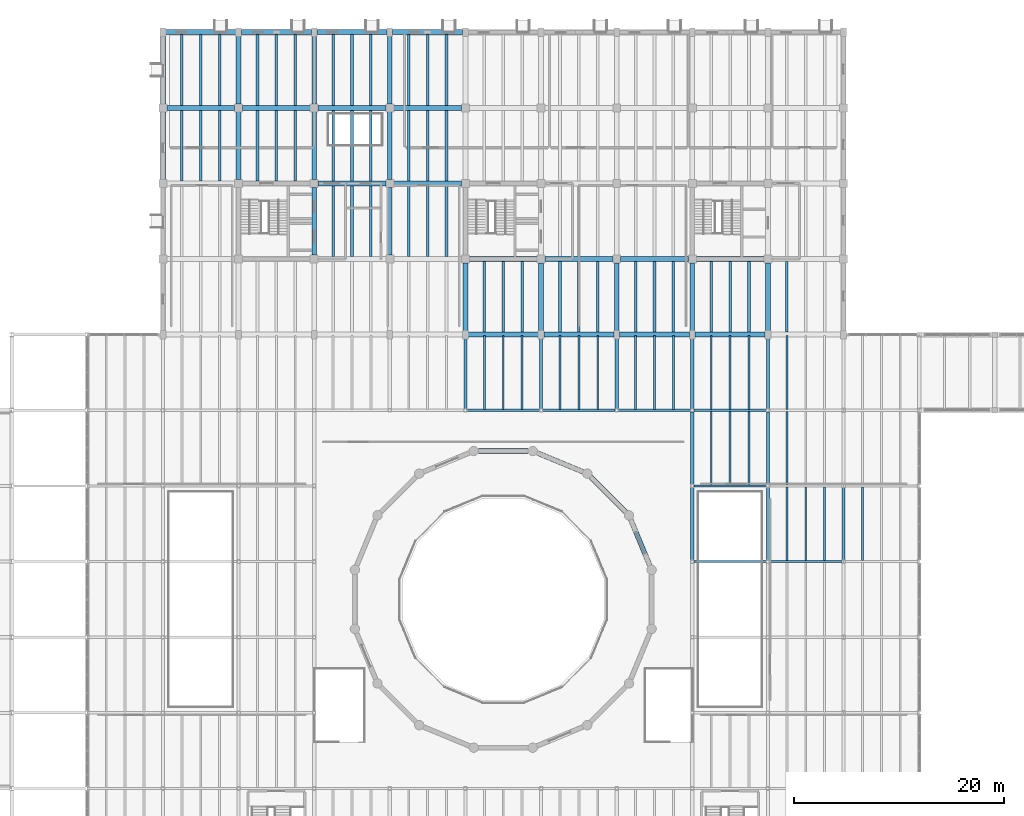
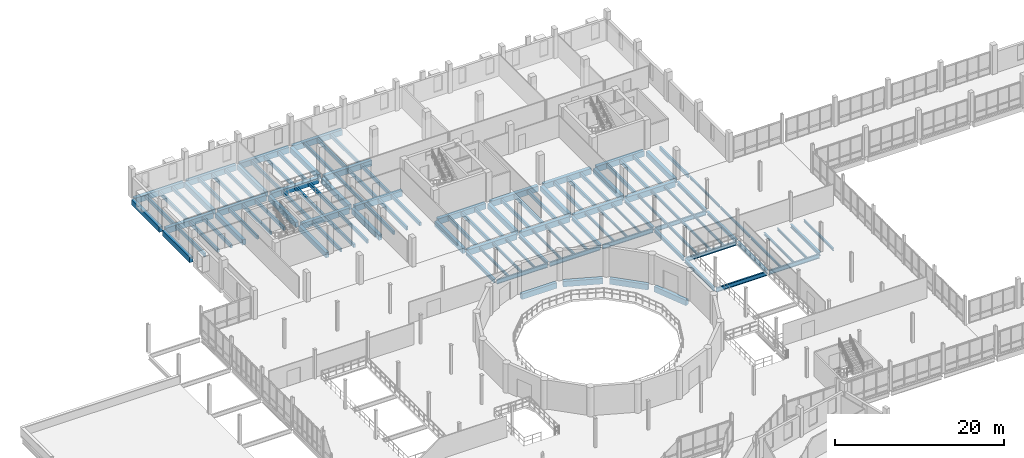
# One storey, part 32 of 72: 118 beams.
"""IFC4 building model written with IfcOpenShell, lengths in metres."""

from ifc_helpers import new_model, si_unit, direction, frame, origin, origin_2d, place, context, subcontext, project, spatial, rectangle, i_section, extrude, material, material_profile, profile_set, type_object, element, save


model = new_model("IFC4")

# Units and contexts
model_context = context("Model", 3, precision=1e-05, world=origin(), true_north=direction((0.0, 1.0)))
body_context = subcontext(model_context, "Body", "Model", "MODEL_VIEW")
ifc_project = project(units=[si_unit("LENGTHUNIT", "METRE"), si_unit("AREAUNIT", "SQUARE_METRE"), si_unit("VOLUMEUNIT", "CUBIC_METRE"), si_unit("PLANEANGLEUNIT", "RADIAN"), si_unit("MASSUNIT", "GRAM", prefix="KILO")], contexts=[model_context])

# Site, building, storey
site_placement = place(None, origin())
site = spatial("IfcSite", under=ifc_project, at=site_placement, CompositionType="ELEMENT")
building_placement = place(site_placement, origin())
building = spatial("IfcBuilding", under=site, at=building_placement, Name="Qiaolan Assembly House", CompositionType="ELEMENT")
storey_placement = place(building_placement, frame((0.0, 0.0, 10.199951171875)))
storey = spatial("IfcBuildingStorey", under=building, at=storey_placement, Name="L02", CompositionType="ELEMENT", Elevation=10.199951171875)

# Beams
ifc_material_1 = material(Name="Concrete C40/50", Category="concrete")
ifc_material_profile_1 = material_profile(ifc_material_1, rectangle(XDim=0.449951171875, YDim=0.75, at=origin_2d()), Name="RCB 450x750")
ifc_profile_set_1 = profile_set([ifc_material_profile_1], Name="Concrete C40/50")
beam_type_1 = type_object("IfcBeamType", Name="BM-RC-450x750", PredefinedType="BEAM", material=ifc_profile_set_1)
beam_1_placement = place(storey_placement, frame((36.0, 101.1650390625, -0.60498046875), z_axis=(0.0, 1.0, 0.0), x_axis=(-1.0, 0.0, 0.0)))
element("IfcBeam", 1, at=beam_1_placement, inside=storey, type_object=beam_type_1, Name="GB-04 beam BMY-NW-L02-00-02", PredefinedType="BEAM", context=body_context, shape_type="SweptSolid", body=[
    extrude(rectangle(XDim=0.449951171875, YDim=0.75, at=origin_2d()), origin(), (0.0, 0.0, 1.0), 6.469970703125),
])
beam_2_placement = place(storey_placement, frame((36.0, 108.364990234375, -0.60498046875), z_axis=(0.0, 1.0, 0.0), x_axis=(-1.0, 0.0, 0.0)))
element("IfcBeam", 2, at=beam_2_placement, inside=storey, type_object=beam_type_1, Name="GB-04 beam BMY-NW-L02-00-03", PredefinedType="BEAM", context=body_context, shape_type="SweptSolid", body=[
    extrude(rectangle(XDim=0.449951171875, YDim=0.75, at=origin_2d()), origin(), (0.0, 0.0, 1.0), 6.570068359375),
])
beam_3_placement = place(storey_placement, frame((43.199951171875, 101.1650390625, -0.60498046875), z_axis=(0.0, 1.0, 0.0), x_axis=(-1.0, 0.0, 0.0)))
element("IfcBeam", 3, at=beam_3_placement, inside=storey, type_object=beam_type_1, Name="GB-04 beam BMY-NW-L02-01-02", PredefinedType="BEAM", context=body_context, shape_type="SweptSolid", body=[
    extrude(rectangle(XDim=0.449951171875, YDim=0.75, at=origin_2d()), origin(), (0.0, 0.0, 1.0), 6.469970703125),
])
beam_4_placement = place(storey_placement, frame((43.199951171875, 108.364990234375, -0.60498046875), z_axis=(0.0, 1.0, 0.0), x_axis=(-1.0, 0.0, 0.0)))
element("IfcBeam", 4, at=beam_4_placement, inside=storey, type_object=beam_type_1, Name="GB-04 beam BMY-NW-L02-01-03", PredefinedType="BEAM", context=body_context, shape_type="SweptSolid", body=[
    extrude(rectangle(XDim=0.449951171875, YDim=0.75, at=origin_2d()), origin(), (0.0, 0.0, 1.0), 6.570068359375),
])
for number, where, z_axis, x_axis, name in (
    (5, (50.39990234375, 93.965087890625, -0.60498046875), (0.0, 1.0, 0.0), (-1.0, 0.0, 0.0), "GB-04 beam BMY-NW-L02-02-01"),
    (6, (50.39990234375, 101.1650390625, -0.60498046875), (0.0, 1.0, 0.0), (-1.0, 0.0, 0.0), "GB-04 beam BMY-NW-L02-02-02"),
):
    element("IfcBeam", number, at=place(storey_placement, frame(where, z_axis=z_axis, x_axis=x_axis)), inside=storey, type_object=beam_type_1, Name=name, PredefinedType="BEAM", context=body_context, shape_type="SweptSolid", body=[
        extrude(rectangle(XDim=0.449951171875, YDim=0.75, at=origin_2d()), origin(), (0.0, 0.0, 1.0), 6.469970703125),
    ])
beam_5_placement = place(storey_placement, frame((50.39990234375, 108.364990234375, -0.60498046875), z_axis=(0.0, 1.0, 0.0), x_axis=(-1.0, 0.0, 0.0)))
element("IfcBeam", 7, at=beam_5_placement, inside=storey, type_object=beam_type_1, Name="GB-04 beam BMY-NW-L02-02-03", PredefinedType="BEAM", context=body_context, shape_type="SweptSolid", body=[
    extrude(rectangle(XDim=0.449951171875, YDim=0.75, at=origin_2d()), origin(), (0.0, 0.0, 1.0), 6.570068359375),
])
for number, where, z_axis, x_axis, name in (
    (8, (57.60009765625, 93.965087890625, -0.60498046875), (0.0, 1.0, 0.0), (-1.0, 0.0, 0.0), "GB-04 beam BMY-NW-L02-03-01"),
    (9, (57.60009765625, 101.1650390625, -0.60498046875), (0.0, 1.0, 0.0), (-1.0, 0.0, 0.0), "GB-04 beam BMY-NW-L02-03-02"),
):
    element("IfcBeam", number, at=place(storey_placement, frame(where, z_axis=z_axis, x_axis=x_axis)), inside=storey, type_object=beam_type_1, Name=name, PredefinedType="BEAM", context=body_context, shape_type="SweptSolid", body=[
        extrude(rectangle(XDim=0.449951171875, YDim=0.75, at=origin_2d()), origin(), (0.0, 0.0, 1.0), 6.469970703125),
    ])
for number, where, z_axis, x_axis, name in (
    (10, (57.60009765625, 108.364990234375, -0.60498046875), (0.0, 1.0, 0.0), (-1.0, 0.0, 0.0), "GB-04 beam BMY-NW-L02-03-03"),
    (11, (64.800048828125, 86.6650390625, -0.60498046875), (0.0, 1.0, 0.0), (-1.0, 0.0, 0.0), "GB-04 beam BMY-NW-L02-04-00"),
    (12, (72.0, 86.6650390625, -0.60498046875), (0.0, 1.0, 0.0), (-1.0, 0.0, 0.0), "GB-04 beam BMY-NW-L02-05-00"),
    (13, (79.199951171875, 86.6650390625, -0.60498046875), (0.0, 1.0, 0.0), (-1.0, 0.0, 0.0), "GB-04 beam BMY-NW-L02-06-00"),
    (14, (86.39990234375, 86.6650390625, -0.60498046875), (0.0, 1.0, 0.0), (-1.0, 0.0, 0.0), "GB-04 beam BMY-NW-L02-07-00"),
    (15, (93.60009765625, 86.6650390625, -0.60498046875), (0.0, 1.0, 0.0), (-1.0, 0.0, 0.0), "GB-04 beam BMY-NW-L02-08-00"),
):
    element("IfcBeam", number, at=place(storey_placement, frame(where, z_axis=z_axis, x_axis=x_axis)), inside=storey, type_object=beam_type_1, Name=name, PredefinedType="BEAM", context=body_context, shape_type="SweptSolid", body=[
        extrude(rectangle(XDim=0.449951171875, YDim=0.75, at=origin_2d()), origin(), (0.0, 0.0, 1.0), 6.570068359375),
    ])
ifc_material_profile_2 = material_profile(ifc_material_1, rectangle(XDim=0.449951171875, YDim=0.800048828125, at=origin_2d()), Name="RCB 450x800")
ifc_profile_set_2 = profile_set([ifc_material_profile_2], Name="Concrete C40/50")
beam_type_2 = type_object("IfcBeamType", Name="BM-RC-450x800", PredefinedType="BEAM", material=ifc_profile_set_2)
beam_6_placement = place(storey_placement, frame((82.35498046875, 64.415771484375, -0.68994140625), z_axis=(-0.382697610123, 0.923873659764, 0.0), x_axis=(-0.923873659764, -0.382697610123, 0.0)))
element("IfcBeam", 16, at=beam_6_placement, inside=storey, type_object=beam_type_2, Name="GB-03 beam BM-DRUM-L02-00", PredefinedType="BEAM", context=body_context, shape_type="SweptSolid", body=[
    extrude(rectangle(XDim=0.449951171875, YDim=0.800048828125, at=origin_2d()), origin(), (0.0, 0.0, 1.0), 4.73876953125),
])
beam_7_placement = place(storey_placement, frame((80.06201171875, 69.51123046875, -0.68994140625), z_axis=(-0.707081019969, 0.707132541466, 0.0), x_axis=(-0.707132541466, -0.707081019969, 0.0)))
element("IfcBeam", 17, at=beam_7_placement, inside=storey, type_object=beam_type_2, Name="GB-03 beam BM-DRUM-L02-01", PredefinedType="BEAM", context=body_context, shape_type="SweptSolid", body=[
    extrude(rectangle(XDim=0.449951171875, YDim=0.800048828125, at=origin_2d()), origin(), (0.0, 0.0, 1.0), 4.738525390625),
])
beam_8_placement = place(storey_placement, frame((75.99365234375, 73.341552734375, -0.68994140625), z_axis=(-0.923873659764, 0.382697610123, 0.0), x_axis=(-0.382697610123, -0.923873659764, 0.0)))
element("IfcBeam", 18, at=beam_8_placement, inside=storey, type_object=beam_type_2, Name="GB-03 beam BM-DRUM-L02-02", PredefinedType="BEAM", context=body_context, shape_type="SweptSolid", body=[
    extrude(rectangle(XDim=0.449951171875, YDim=0.800048828125, at=origin_2d()), origin(), (0.0, 0.0, 1.0), 4.73876953125),
])
beam_9_placement = place(storey_placement, frame((70.769287109375, 75.3232421875, -0.68994140625), z_axis=(-1.0, 0.0, 0.0), x_axis=(0.0, -1.0, 0.0)))
element("IfcBeam", 19, at=beam_9_placement, inside=storey, type_object=beam_type_2, Name="GB-03 beam BM-DRUM-L02-03", PredefinedType="BEAM", context=body_context, shape_type="SweptSolid", body=[
    extrude(rectangle(XDim=0.449951171875, YDim=0.800048828125, at=origin_2d()), origin(), (0.0, 0.0, 1.0), 4.738525390625),
])
ifc_material_2 = material(Name="Concrete C45/55", Category="concrete")
ifc_material_profile_3 = material_profile(ifc_material_2, rectangle(XDim=0.47998046875, YDim=0.820068359375, at=origin_2d()), Name="RCB 480x820")
ifc_profile_set_3 = profile_set([ifc_material_profile_3], Name="Concrete C45/55")
beam_type_3 = type_object("IfcBeamType", Name="BM-RC-480x820", PredefinedType="BEAM", material=ifc_profile_set_3)
for number, where, z_axis, x_axis, name in (
    (20, (65.06494140625, 86.39990234375, -0.7099609375), (1.0, 0.0, 0.0), (0.0, 1.0, 0.0), "GB-14 beam BMX-NW-L02-04-00"),
    (21, (72.264892578125, 86.39990234375, -0.7099609375), (1.0, 0.0, 0.0), (0.0, 1.0, 0.0), "GB-14 beam BMX-NW-L02-05-00"),
):
    element("IfcBeam", number, at=place(storey_placement, frame(where, z_axis=z_axis, x_axis=x_axis)), inside=storey, type_object=beam_type_3, Name=name, PredefinedType="BEAM", context=body_context, shape_type="SweptSolid", body=[
        extrude(rectangle(XDim=0.47998046875, YDim=0.820068359375, at=origin_2d()), origin(), (0.0, 0.0, 1.0), 6.670166015625),
    ])
for number, where, z_axis, x_axis, name in (
    (22, (79.465087890625, 86.39990234375, -0.7099609375), (1.0, 0.0, 0.0), (0.0, 1.0, 0.0), "GB-14 beam BMX-NW-L02-06-00"),
    (23, (86.6650390625, 86.39990234375, -0.7099609375), (1.0, 0.0, 0.0), (0.0, 1.0, 0.0), "GB-14 beam BMX-NW-L02-07-00"),
):
    element("IfcBeam", number, at=place(storey_placement, frame(where, z_axis=z_axis, x_axis=x_axis)), inside=storey, type_object=beam_type_3, Name=name, PredefinedType="BEAM", context=body_context, shape_type="SweptSolid", body=[
        extrude(rectangle(XDim=0.47998046875, YDim=0.820068359375, at=origin_2d()), origin(), (0.0, 0.0, 1.0), 6.669921875),
    ])
for number, where, z_axis, x_axis, name in (
    (24, (65.1650390625, 93.60009765625, -0.639892578125), (1.0, 0.0, 0.0), (0.0, 1.0, 0.0), "GB-14 beam BMX-NW-L02-04-01"),
    (25, (72.364990234375, 93.60009765625, -0.639892578125), (1.0, 0.0, 0.0), (0.0, 1.0, 0.0), "GB-14 beam BMX-NW-L02-05-01"),
    (26, (79.56494140625, 93.60009765625, -0.639892578125), (1.0, 0.0, 0.0), (0.0, 1.0, 0.0), "GB-14 beam BMX-NW-L02-06-01"),
):
    element("IfcBeam", number, at=place(storey_placement, frame(where, z_axis=z_axis, x_axis=x_axis)), inside=storey, type_object=beam_type_3, Name=name, PredefinedType="BEAM", context=body_context, shape_type="SweptSolid", body=[
        extrude(rectangle(XDim=0.47998046875, YDim=0.820068359375, at=origin_2d()), origin(), (0.0, 0.0, 1.0), 6.469970703125),
    ])
for number, where, z_axis, x_axis, name in (
    (27, (86.764892578125, 93.60009765625, -0.639892578125), (1.0, 0.0, 0.0), (0.0, 1.0, 0.0), "GB-14 beam BMX-NW-L02-07-01"),
    (28, (50.764892578125, 100.800048828125, -0.639892578125), (1.0, 0.0, 0.0), (0.0, 1.0, 0.0), "GB-14 beam BMX-NW-L02-02-02"),
):
    element("IfcBeam", number, at=place(storey_placement, frame(where, z_axis=z_axis, x_axis=x_axis)), inside=storey, type_object=beam_type_3, Name=name, PredefinedType="BEAM", context=body_context, shape_type="SweptSolid", body=[
        extrude(rectangle(XDim=0.47998046875, YDim=0.820068359375, at=origin_2d()), origin(), (0.0, 0.0, 1.0), 6.47021484375),
    ])
for number, where, z_axis, x_axis, name in (
    (29, (57.965087890625, 100.800048828125, -0.639892578125), (1.0, 0.0, 0.0), (0.0, 1.0, 0.0), "GB-14 beam BMX-NW-L02-03-02"),
    (30, (36.364990234375, 108.0, -0.639892578125), (1.0, 0.0, 0.0), (0.0, 1.0, 0.0), "GB-14 beam BMX-NW-L02-00-03"),
    (31, (43.56494140625, 108.0, -0.639892578125), (1.0, 0.0, 0.0), (0.0, 1.0, 0.0), "GB-14 beam BMX-NW-L02-01-03"),
):
    element("IfcBeam", number, at=place(storey_placement, frame(where, z_axis=z_axis, x_axis=x_axis)), inside=storey, type_object=beam_type_3, Name=name, PredefinedType="BEAM", context=body_context, shape_type="SweptSolid", body=[
        extrude(rectangle(XDim=0.47998046875, YDim=0.820068359375, at=origin_2d()), origin(), (0.0, 0.0, 1.0), 6.469970703125),
    ])
beam_10_placement = place(storey_placement, frame((50.764892578125, 108.0, -0.639892578125), z_axis=(1.0, 0.0, 0.0), x_axis=(0.0, 1.0, 0.0)))
element("IfcBeam", 32, at=beam_10_placement, inside=storey, type_object=beam_type_3, Name="GB-14 beam BMX-NW-L02-02-03", PredefinedType="BEAM", context=body_context, shape_type="SweptSolid", body=[
    extrude(rectangle(XDim=0.47998046875, YDim=0.820068359375, at=origin_2d()), origin(), (0.0, 0.0, 1.0), 6.47021484375),
])
beam_11_placement = place(storey_placement, frame((57.965087890625, 108.0, -0.639892578125), z_axis=(1.0, 0.0, 0.0), x_axis=(0.0, 1.0, 0.0)))
element("IfcBeam", 33, at=beam_11_placement, inside=storey, type_object=beam_type_3, Name="GB-14 beam BMX-NW-L02-03-03", PredefinedType="BEAM", context=body_context, shape_type="SweptSolid", body=[
    extrude(rectangle(XDim=0.47998046875, YDim=0.820068359375, at=origin_2d()), origin(), (0.0, 0.0, 1.0), 6.469970703125),
])
beam_12_placement = place(storey_placement, frame((36.264892578125, 115.199951171875, -0.639892578125), z_axis=(1.0, 0.0, 0.0), x_axis=(0.0, 1.0, 0.0)))
element("IfcBeam", 34, at=beam_12_placement, inside=storey, type_object=beam_type_3, Name="GB-14 beam BMX-NW-L02-00-04", PredefinedType="BEAM", context=body_context, shape_type="SweptSolid", body=[
    extrude(rectangle(XDim=0.47998046875, YDim=0.820068359375, at=origin_2d()), origin(), (0.0, 0.0, 1.0), 6.670166015625),
])
for number, where, z_axis, x_axis, name in (
    (35, (43.465087890625, 115.199951171875, -0.639892578125), (1.0, 0.0, 0.0), (0.0, 1.0, 0.0), "GB-14 beam BMX-NW-L02-01-04"),
    (36, (50.6650390625, 115.199951171875, -0.639892578125), (1.0, 0.0, 0.0), (0.0, 1.0, 0.0), "GB-14 beam BMX-NW-L02-02-04"),
    (37, (57.864990234375, 115.199951171875, -0.639892578125), (1.0, 0.0, 0.0), (0.0, 1.0, 0.0), "GB-14 beam BMX-NW-L02-03-04"),
):
    element("IfcBeam", number, at=place(storey_placement, frame(where, z_axis=z_axis, x_axis=x_axis)), inside=storey, type_object=beam_type_3, Name=name, PredefinedType="BEAM", context=body_context, shape_type="SweptSolid", body=[
        extrude(rectangle(XDim=0.47998046875, YDim=0.820068359375, at=origin_2d()), origin(), (0.0, 0.0, 1.0), 6.669921875),
    ])
ifc_material_3 = material(Name="Steel Q355B", Category="steel")
ifc_material_profile_4 = material_profile(ifc_material_3, i_section(OverallWidth=0.300048828125, OverallDepth=0.5, WebThickness=0.010986328125, FlangeThickness=0.01806640625, FilletRadius=0.02001953125, at=origin_2d()), Name="HM 500x300x11x18")
ifc_profile_set_4 = profile_set([ifc_material_profile_4], Name="Steel Q355B")
beam_type_4 = type_object("IfcBeamType", Name="BM-STL-HM500", PredefinedType="BEAM", material=ifc_profile_set_4)
for number, where, z_axis, x_axis, name in (
    (38, (64.800048828125, 79.340087890625, -0.550048828125), (0.0, 1.0, 0.0), (-1.0, 0.0, 0.0), "SB-15 beam BMY-HL-L02-06-06"),
    (39, (72.0, 79.340087890625, -0.550048828125), (0.0, 1.0, 0.0), (-1.0, 0.0, 0.0), "SB-15 beam BMY-HL-L02-07-06"),
    (40, (79.199951171875, 79.340087890625, -0.550048828125), (0.0, 1.0, 0.0), (-1.0, 0.0, 0.0), "SB-15 beam BMY-HL-L02-08-06"),
):
    element("IfcBeam", number, at=place(storey_placement, frame(where, z_axis=z_axis, x_axis=x_axis)), inside=storey, type_object=beam_type_4, Name=name, PredefinedType="BEAM", context=body_context, shape_type="SweptSolid", body=[
        extrude(i_section(OverallWidth=0.300048828125, OverallDepth=0.5, WebThickness=0.010986328125, FlangeThickness=0.01806640625, FilletRadius=0.02001953125, at=origin_2d()), origin(), (0.0, 0.0, 1.0), 6.794921875),
    ])
for number, where, z_axis, x_axis, name in (
    (41, (86.39990234375, 64.93994140625, -0.550048828125), (0.0, 1.0, 0.0), (-1.0, 0.0, 0.0), "SB-15 beam BMY-HL-L02-09-04"),
    (42, (86.39990234375, 72.139892578125, -0.550048828125), (0.0, 1.0, 0.0), (-1.0, 0.0, 0.0), "SB-15 beam BMY-HL-L02-09-05"),
):
    element("IfcBeam", number, at=place(storey_placement, frame(where, z_axis=z_axis, x_axis=x_axis)), inside=storey, type_object=beam_type_4, Name=name, PredefinedType="BEAM", context=body_context, shape_type="SweptSolid", body=[
        extrude(i_section(OverallWidth=0.300048828125, OverallDepth=0.5, WebThickness=0.010986328125, FlangeThickness=0.01806640625, FilletRadius=0.02001953125, at=origin_2d()), origin(), (0.0, 0.0, 1.0), 6.920166015625),
    ])
beam_13_placement = place(storey_placement, frame((86.39990234375, 79.340087890625, -0.550048828125), z_axis=(0.0, 1.0, 0.0), x_axis=(-1.0, 0.0, 0.0)))
element("IfcBeam", 43, at=beam_13_placement, inside=storey, type_object=beam_type_4, Name="SB-15 beam BMY-HL-L02-09-06", PredefinedType="BEAM", context=body_context, shape_type="SweptSolid", body=[
    extrude(i_section(OverallWidth=0.300048828125, OverallDepth=0.5, WebThickness=0.010986328125, FlangeThickness=0.01806640625, FilletRadius=0.02001953125, at=origin_2d()), origin(), (0.0, 0.0, 1.0), 6.794921875),
])
for number, where, z_axis, x_axis, name in (
    (44, (93.60009765625, 64.93994140625, -0.550048828125), (0.0, 1.0, 0.0), (-1.0, 0.0, 0.0), "SB-15 beam BMY-HL-L02-10-04"),
    (45, (93.60009765625, 72.139892578125, -0.550048828125), (0.0, 1.0, 0.0), (-1.0, 0.0, 0.0), "SB-15 beam BMY-HL-L02-10-05"),
):
    element("IfcBeam", number, at=place(storey_placement, frame(where, z_axis=z_axis, x_axis=x_axis)), inside=storey, type_object=beam_type_4, Name=name, PredefinedType="BEAM", context=body_context, shape_type="SweptSolid", body=[
        extrude(i_section(OverallWidth=0.300048828125, OverallDepth=0.5, WebThickness=0.010986328125, FlangeThickness=0.01806640625, FilletRadius=0.02001953125, at=origin_2d()), origin(), (0.0, 0.0, 1.0), 6.920166015625),
    ])
beam_14_placement = place(storey_placement, frame((93.60009765625, 79.340087890625, -0.550048828125), z_axis=(0.0, 1.0, 0.0), x_axis=(-1.0, 0.0, 0.0)))
element("IfcBeam", 46, at=beam_14_placement, inside=storey, type_object=beam_type_4, Name="SB-15 beam BMY-HL-L02-10-06", PredefinedType="BEAM", context=body_context, shape_type="SweptSolid", body=[
    extrude(i_section(OverallWidth=0.300048828125, OverallDepth=0.5, WebThickness=0.010986328125, FlangeThickness=0.01806640625, FilletRadius=0.02001953125, at=origin_2d()), origin(), (0.0, 0.0, 1.0), 6.794921875),
])
beam_15_placement = place(storey_placement, frame((100.800048828125, 64.965087890625, -0.550048828125), z_axis=(0.0, 1.0, 0.0), x_axis=(-1.0, 0.0, 0.0)))
element("IfcBeam", 47, at=beam_15_placement, inside=storey, type_object=beam_type_4, Name="SB-15 beam BMY-HL-L02-11-04", PredefinedType="BEAM", context=body_context, shape_type="SweptSolid", body=[
    extrude(i_section(OverallWidth=0.300048828125, OverallDepth=0.5, WebThickness=0.010986328125, FlangeThickness=0.01806640625, FilletRadius=0.02001953125, at=origin_2d()), origin(), (0.0, 0.0, 1.0), 6.869873046875),
])
ifc_material_profile_5 = material_profile(ifc_material_3, i_section(OverallWidth=0.2099609375, OverallDepth=0.610107421875, WebThickness=0.010986328125, FlangeThickness=0.01806640625, FilletRadius=0.02001953125, at=origin_2d()), Name="HN 610x210x11x18")
ifc_profile_set_5 = profile_set([ifc_material_profile_5], Name="Steel Q355B")
beam_type_5 = type_object("IfcBeamType", Name="BM-STL-HN610", PredefinedType="BEAM", material=ifc_profile_set_5)
beam_16_placement = place(storey_placement, frame((86.5400390625, 64.800048828125, -0.60498046875), z_axis=(1.0, 0.0, 0.0), x_axis=(0.0, 1.0, 0.0)))
element("IfcBeam", 48, at=beam_16_placement, inside=storey, type_object=beam_type_5, Name="SB-11 beam BMX-HL-L02-09-04", PredefinedType="BEAM", context=body_context, shape_type="SweptSolid", body=[
    extrude(i_section(OverallWidth=0.2099609375, OverallDepth=0.610107421875, WebThickness=0.010986328125, FlangeThickness=0.01806640625, FilletRadius=0.02001953125, at=origin_2d()), origin(), (0.0, 0.0, 1.0), 6.919921875),
])
beam_17_placement = place(storey_placement, frame((93.739990234375, 64.800048828125, -0.60498046875), z_axis=(1.0, 0.0, 0.0), x_axis=(0.0, 1.0, 0.0)))
element("IfcBeam", 49, at=beam_17_placement, inside=storey, type_object=beam_type_5, Name="SB-11 beam BMX-HL-L02-10-04", PredefinedType="BEAM", context=body_context, shape_type="SweptSolid", body=[
    extrude(i_section(OverallWidth=0.2099609375, OverallDepth=0.610107421875, WebThickness=0.010986328125, FlangeThickness=0.01806640625, FilletRadius=0.02001953125, at=origin_2d()), origin(), (0.0, 0.0, 1.0), 6.89501953125),
])
beam_18_placement = place(storey_placement, frame((86.5400390625, 72.0, -0.60498046875), z_axis=(1.0, 0.0, 0.0), x_axis=(0.0, 1.0, 0.0)))
element("IfcBeam", 50, at=beam_18_placement, inside=storey, type_object=beam_type_5, Name="SB-11 beam BMX-HL-L02-09-05", PredefinedType="BEAM", context=body_context, shape_type="SweptSolid", body=[
    extrude(i_section(OverallWidth=0.2099609375, OverallDepth=0.610107421875, WebThickness=0.010986328125, FlangeThickness=0.01806640625, FilletRadius=0.02001953125, at=origin_2d()), origin(), (0.0, 0.0, 1.0), 6.919921875),
])
for number, where, z_axis, x_axis, name in (
    (51, (64.93994140625, 79.199951171875, -0.60498046875), (1.0, 0.0, 0.0), (0.0, 1.0, 0.0), "SB-11 beam BMX-HL-L02-06-06"),
    (52, (72.139892578125, 79.199951171875, -0.60498046875), (1.0, 0.0, 0.0), (0.0, 1.0, 0.0), "SB-11 beam BMX-HL-L02-07-06"),
):
    element("IfcBeam", number, at=place(storey_placement, frame(where, z_axis=z_axis, x_axis=x_axis)), inside=storey, type_object=beam_type_5, Name=name, PredefinedType="BEAM", context=body_context, shape_type="SweptSolid", body=[
        extrude(i_section(OverallWidth=0.2099609375, OverallDepth=0.610107421875, WebThickness=0.010986328125, FlangeThickness=0.01806640625, FilletRadius=0.02001953125, at=origin_2d()), origin(), (0.0, 0.0, 1.0), 6.920166015625),
    ])
for number, where, z_axis, x_axis, name in (
    (53, (79.340087890625, 79.199951171875, -0.60498046875), (1.0, 0.0, 0.0), (0.0, 1.0, 0.0), "SB-11 beam BMX-HL-L02-08-06"),
    (54, (86.5400390625, 79.199951171875, -0.60498046875), (1.0, 0.0, 0.0), (0.0, 1.0, 0.0), "SB-11 beam BMX-HL-L02-09-06"),
):
    element("IfcBeam", number, at=place(storey_placement, frame(where, z_axis=z_axis, x_axis=x_axis)), inside=storey, type_object=beam_type_5, Name=name, PredefinedType="BEAM", context=body_context, shape_type="SweptSolid", body=[
        extrude(i_section(OverallWidth=0.2099609375, OverallDepth=0.610107421875, WebThickness=0.010986328125, FlangeThickness=0.01806640625, FilletRadius=0.02001953125, at=origin_2d()), origin(), (0.0, 0.0, 1.0), 6.919921875),
    ])
ifc_material_profile_6 = material_profile(ifc_material_1, rectangle(XDim=0.25, YDim=0.5, at=origin_2d()), Name="RCB 250x500")
ifc_profile_set_6 = profile_set([ifc_material_profile_6], Name="Concrete C40/50")
beam_type_6 = type_object("IfcBeamType", Name="JST-RC-250x500", PredefinedType="JOIST", material=ifc_profile_set_6)
for number, where, z_axis, x_axis, name in (
    (55, (37.800048828125, 101.033935546875, -0.47998046875), (0.0, 1.0, 0.0), (-1.0, 0.0, 0.0), "RJ-01 beam JST-NW-L02-00-02-1"),
    (56, (39.60009765625, 101.033935546875, -0.47998046875), (0.0, 1.0, 0.0), (-1.0, 0.0, 0.0), "RJ-01 beam JST-NW-L02-00-02-2"),
    (57, (41.39990234375, 101.033935546875, -0.47998046875), (0.0, 1.0, 0.0), (-1.0, 0.0, 0.0), "RJ-01 beam JST-NW-L02-00-02-3"),
    (58, (37.800048828125, 108.23388671875, -0.47998046875), (0.0, 1.0, 0.0), (-1.0, 0.0, 0.0), "RJ-01 beam JST-NW-L02-00-03-1"),
    (59, (39.60009765625, 108.23388671875, -0.47998046875), (0.0, 1.0, 0.0), (-1.0, 0.0, 0.0), "RJ-01 beam JST-NW-L02-00-03-2"),
    (60, (41.39990234375, 108.23388671875, -0.47998046875), (0.0, 1.0, 0.0), (-1.0, 0.0, 0.0), "RJ-01 beam JST-NW-L02-00-03-3"),
    (61, (45.0, 101.033935546875, -0.47998046875), (0.0, 1.0, 0.0), (-1.0, 0.0, 0.0), "RJ-01 beam JST-NW-L02-01-02-1"),
    (62, (46.800048828125, 101.033935546875, -0.47998046875), (0.0, 1.0, 0.0), (-1.0, 0.0, 0.0), "RJ-01 beam JST-NW-L02-01-02-2"),
    (63, (48.60009765625, 101.033935546875, -0.47998046875), (0.0, 1.0, 0.0), (-1.0, 0.0, 0.0), "RJ-01 beam JST-NW-L02-01-02-3"),
    (64, (45.0, 108.23388671875, -0.47998046875), (0.0, 1.0, 0.0), (-1.0, 0.0, 0.0), "RJ-01 beam JST-NW-L02-01-03-1"),
    (65, (46.800048828125, 108.23388671875, -0.47998046875), (0.0, 1.0, 0.0), (-1.0, 0.0, 0.0), "RJ-01 beam JST-NW-L02-01-03-2"),
    (66, (48.60009765625, 108.23388671875, -0.47998046875), (0.0, 1.0, 0.0), (-1.0, 0.0, 0.0), "RJ-01 beam JST-NW-L02-01-03-3"),
):
    element("IfcBeam", number, at=place(storey_placement, frame(where, z_axis=z_axis, x_axis=x_axis)), inside=storey, type_object=beam_type_6, Name=name, PredefinedType="JOIST", context=body_context, shape_type="SweptSolid", body=[
        extrude(rectangle(XDim=0.25, YDim=0.5, at=origin_2d()), origin(), (0.0, 0.0, 1.0), 6.732177734375),
    ])
for number, where, z_axis, x_axis, name in (
    (67, (52.199951171875, 93.833984375, -0.47998046875), (0.0, 1.0, 0.0), (-1.0, 0.0, 0.0), "RJ-01 beam JST-NW-L02-02-01-1"),
    (68, (54.0, 93.833984375, -0.47998046875), (0.0, 1.0, 0.0), (-1.0, 0.0, 0.0), "RJ-01 beam JST-NW-L02-02-01-2"),
    (69, (55.800048828125, 93.833984375, -0.47998046875), (0.0, 1.0, 0.0), (-1.0, 0.0, 0.0), "RJ-01 beam JST-NW-L02-02-01-3"),
):
    element("IfcBeam", number, at=place(storey_placement, frame(where, z_axis=z_axis, x_axis=x_axis)), inside=storey, type_object=beam_type_6, Name=name, PredefinedType="JOIST", context=body_context, shape_type="SweptSolid", body=[
        extrude(rectangle(XDim=0.25, YDim=0.5, at=origin_2d()), origin(), (0.0, 0.0, 1.0), 6.73193359375),
    ])
for number, where, z_axis, x_axis, name in (
    (70, (52.199951171875, 101.033935546875, -0.47998046875), (0.0, 1.0, 0.0), (-1.0, 0.0, 0.0), "RJ-01 beam JST-NW-L02-02-02-1"),
    (71, (54.0, 101.033935546875, -0.47998046875), (0.0, 1.0, 0.0), (-1.0, 0.0, 0.0), "RJ-01 beam JST-NW-L02-02-02-2"),
    (72, (55.800048828125, 101.033935546875, -0.47998046875), (0.0, 1.0, 0.0), (-1.0, 0.0, 0.0), "RJ-01 beam JST-NW-L02-02-02-3"),
    (73, (52.199951171875, 108.23388671875, -0.47998046875), (0.0, 1.0, 0.0), (-1.0, 0.0, 0.0), "RJ-01 beam JST-NW-L02-02-03-1"),
    (74, (54.0, 108.23388671875, -0.47998046875), (0.0, 1.0, 0.0), (-1.0, 0.0, 0.0), "RJ-01 beam JST-NW-L02-02-03-2"),
    (75, (55.800048828125, 108.23388671875, -0.47998046875), (0.0, 1.0, 0.0), (-1.0, 0.0, 0.0), "RJ-01 beam JST-NW-L02-02-03-3"),
):
    element("IfcBeam", number, at=place(storey_placement, frame(where, z_axis=z_axis, x_axis=x_axis)), inside=storey, type_object=beam_type_6, Name=name, PredefinedType="JOIST", context=body_context, shape_type="SweptSolid", body=[
        extrude(rectangle(XDim=0.25, YDim=0.5, at=origin_2d()), origin(), (0.0, 0.0, 1.0), 6.732177734375),
    ])
for number, where, z_axis, x_axis, name in (
    (76, (59.39990234375, 93.833984375, -0.47998046875), (0.0, 1.0, 0.0), (-1.0, 0.0, 0.0), "RJ-01 beam JST-NW-L02-03-01-1"),
    (77, (61.199951171875, 93.833984375, -0.47998046875), (0.0, 1.0, 0.0), (-1.0, 0.0, 0.0), "RJ-01 beam JST-NW-L02-03-01-2"),
    (78, (63.0, 93.833984375, -0.47998046875), (0.0, 1.0, 0.0), (-1.0, 0.0, 0.0), "RJ-01 beam JST-NW-L02-03-01-3"),
):
    element("IfcBeam", number, at=place(storey_placement, frame(where, z_axis=z_axis, x_axis=x_axis)), inside=storey, type_object=beam_type_6, Name=name, PredefinedType="JOIST", context=body_context, shape_type="SweptSolid", body=[
        extrude(rectangle(XDim=0.25, YDim=0.5, at=origin_2d()), origin(), (0.0, 0.0, 1.0), 6.73193359375),
    ])
for number, where, z_axis, x_axis, name in (
    (79, (59.39990234375, 101.033935546875, -0.47998046875), (0.0, 1.0, 0.0), (-1.0, 0.0, 0.0), "RJ-01 beam JST-NW-L02-03-02-1"),
    (80, (61.199951171875, 101.033935546875, -0.47998046875), (0.0, 1.0, 0.0), (-1.0, 0.0, 0.0), "RJ-01 beam JST-NW-L02-03-02-2"),
    (81, (63.0, 101.033935546875, -0.47998046875), (0.0, 1.0, 0.0), (-1.0, 0.0, 0.0), "RJ-01 beam JST-NW-L02-03-02-3"),
    (82, (59.39990234375, 108.23388671875, -0.47998046875), (0.0, 1.0, 0.0), (-1.0, 0.0, 0.0), "RJ-01 beam JST-NW-L02-03-03-1"),
    (83, (61.199951171875, 108.23388671875, -0.47998046875), (0.0, 1.0, 0.0), (-1.0, 0.0, 0.0), "RJ-01 beam JST-NW-L02-03-03-2"),
    (84, (63.0, 108.23388671875, -0.47998046875), (0.0, 1.0, 0.0), (-1.0, 0.0, 0.0), "RJ-01 beam JST-NW-L02-03-03-3"),
):
    element("IfcBeam", number, at=place(storey_placement, frame(where, z_axis=z_axis, x_axis=x_axis)), inside=storey, type_object=beam_type_6, Name=name, PredefinedType="JOIST", context=body_context, shape_type="SweptSolid", body=[
        extrude(rectangle(XDim=0.25, YDim=0.5, at=origin_2d()), origin(), (0.0, 0.0, 1.0), 6.732177734375),
    ])
for number, where, z_axis, x_axis, name in (
    (85, (66.60009765625, 86.634033203125, -0.550048828125), (0.0, 1.0, 0.0), (-1.0, 0.0, 0.0), "RJ-01 beam JST-NW-L02-04-00-1"),
    (86, (68.39990234375, 86.634033203125, -0.550048828125), (0.0, 1.0, 0.0), (-1.0, 0.0, 0.0), "RJ-01 beam JST-NW-L02-04-00-2"),
    (87, (70.199951171875, 86.634033203125, -0.550048828125), (0.0, 1.0, 0.0), (-1.0, 0.0, 0.0), "RJ-01 beam JST-NW-L02-04-00-3"),
    (88, (73.800048828125, 86.634033203125, -0.550048828125), (0.0, 1.0, 0.0), (-1.0, 0.0, 0.0), "RJ-01 beam JST-NW-L02-05-00-1"),
    (89, (75.60009765625, 86.634033203125, -0.550048828125), (0.0, 1.0, 0.0), (-1.0, 0.0, 0.0), "RJ-01 beam JST-NW-L02-05-00-2"),
    (90, (77.39990234375, 86.634033203125, -0.550048828125), (0.0, 1.0, 0.0), (-1.0, 0.0, 0.0), "RJ-01 beam JST-NW-L02-05-00-3"),
    (91, (81.0, 86.634033203125, -0.550048828125), (0.0, 1.0, 0.0), (-1.0, 0.0, 0.0), "RJ-01 beam JST-NW-L02-06-00-1"),
    (92, (82.800048828125, 86.634033203125, -0.550048828125), (0.0, 1.0, 0.0), (-1.0, 0.0, 0.0), "RJ-01 beam JST-NW-L02-06-00-2"),
    (93, (84.60009765625, 86.634033203125, -0.550048828125), (0.0, 1.0, 0.0), (-1.0, 0.0, 0.0), "RJ-01 beam JST-NW-L02-06-00-3"),
    (94, (88.199951171875, 86.634033203125, -0.550048828125), (0.0, 1.0, 0.0), (-1.0, 0.0, 0.0), "RJ-01 beam JST-NW-L02-07-00-1"),
    (95, (90.0, 86.634033203125, -0.550048828125), (0.0, 1.0, 0.0), (-1.0, 0.0, 0.0), "RJ-01 beam JST-NW-L02-07-00-2"),
    (96, (91.800048828125, 86.634033203125, -0.550048828125), (0.0, 1.0, 0.0), (-1.0, 0.0, 0.0), "RJ-01 beam JST-NW-L02-07-00-3"),
    (97, (95.39990234375, 86.634033203125, -0.550048828125), (0.0, 1.0, 0.0), (-1.0, 0.0, 0.0), "RJ-01 beam JST-NW-L02-08-00-1"),
):
    element("IfcBeam", number, at=place(storey_placement, frame(where, z_axis=z_axis, x_axis=x_axis)), inside=storey, type_object=beam_type_6, Name=name, PredefinedType="JOIST", context=body_context, shape_type="SweptSolid", body=[
        extrude(rectangle(XDim=0.25, YDim=0.5, at=origin_2d()), origin(), (0.0, 0.0, 1.0), 6.73193359375),
    ])
ifc_material_profile_7 = material_profile(ifc_material_3, i_section(OverallWidth=0.179931640625, OverallDepth=0.35498046875, WebThickness=0.007568359375, FlangeThickness=0.011474609375, FilletRadius=0.013916015625, at=origin_2d()), Name="HM 355x180x7.5x11.5")
ifc_profile_set_7 = profile_set([ifc_material_profile_7], Name="Steel Q355B")
beam_type_7 = type_object("IfcBeamType", Name="JST-STL-HM355", PredefinedType="JOIST", material=ifc_profile_set_7)
for number, where, z_axis, x_axis, name in (
    (98, (66.60009765625, 79.299072265625, -0.4775390625), (0.0, 1.0, 0.0), (-1.0, 0.0, 0.0), "SJ-04 beam JST-HL-L02-06-06-1"),
    (99, (68.39990234375, 79.299072265625, -0.4775390625), (0.0, 1.0, 0.0), (-1.0, 0.0, 0.0), "SJ-04 beam JST-HL-L02-06-06-2"),
    (100, (70.199951171875, 79.299072265625, -0.4775390625), (0.0, 1.0, 0.0), (-1.0, 0.0, 0.0), "SJ-04 beam JST-HL-L02-06-06-3"),
    (101, (73.800048828125, 79.299072265625, -0.4775390625), (0.0, 1.0, 0.0), (-1.0, 0.0, 0.0), "SJ-04 beam JST-HL-L02-07-06-1"),
    (102, (75.60009765625, 79.299072265625, -0.4775390625), (0.0, 1.0, 0.0), (-1.0, 0.0, 0.0), "SJ-04 beam JST-HL-L02-07-06-2"),
    (103, (77.39990234375, 79.299072265625, -0.4775390625), (0.0, 1.0, 0.0), (-1.0, 0.0, 0.0), "SJ-04 beam JST-HL-L02-07-06-3"),
    (104, (81.0, 79.299072265625, -0.4775390625), (0.0, 1.0, 0.0), (-1.0, 0.0, 0.0), "SJ-04 beam JST-HL-L02-08-06-1"),
    (105, (82.800048828125, 79.299072265625, -0.4775390625), (0.0, 1.0, 0.0), (-1.0, 0.0, 0.0), "SJ-04 beam JST-HL-L02-08-06-2"),
    (106, (84.60009765625, 79.299072265625, -0.4775390625), (0.0, 1.0, 0.0), (-1.0, 0.0, 0.0), "SJ-04 beam JST-HL-L02-08-06-3"),
    (107, (88.199951171875, 72.09912109375, -0.4775390625), (0.0, 1.0, 0.0), (-1.0, 0.0, 0.0), "SJ-04 beam JST-HL-L02-09-05-1"),
    (108, (90.0, 72.09912109375, -0.4775390625), (0.0, 1.0, 0.0), (-1.0, 0.0, 0.0), "SJ-04 beam JST-HL-L02-09-05-2"),
    (109, (91.800048828125, 72.09912109375, -0.4775390625), (0.0, 1.0, 0.0), (-1.0, 0.0, 0.0), "SJ-04 beam JST-HL-L02-09-05-3"),
    (110, (88.199951171875, 79.299072265625, -0.4775390625), (0.0, 1.0, 0.0), (-1.0, 0.0, 0.0), "SJ-04 beam JST-HL-L02-09-06-1"),
    (111, (90.0, 79.299072265625, -0.4775390625), (0.0, 1.0, 0.0), (-1.0, 0.0, 0.0), "SJ-04 beam JST-HL-L02-09-06-2"),
    (112, (91.800048828125, 79.299072265625, -0.4775390625), (0.0, 1.0, 0.0), (-1.0, 0.0, 0.0), "SJ-04 beam JST-HL-L02-09-06-3"),
    (113, (95.39990234375, 64.89892578125, -0.4775390625), (0.0, 1.0, 0.0), (-1.0, 0.0, 0.0), "SJ-04 beam JST-HL-L02-10-04-1"),
    (114, (97.199951171875, 64.89892578125, -0.4775390625), (0.0, 1.0, 0.0), (-1.0, 0.0, 0.0), "SJ-04 beam JST-HL-L02-10-04-2"),
    (115, (99.0, 64.89892578125, -0.4775390625), (0.0, 1.0, 0.0), (-1.0, 0.0, 0.0), "SJ-04 beam JST-HL-L02-10-04-3"),
    (116, (95.39990234375, 72.09912109375, -0.4775390625), (0.0, 1.0, 0.0), (-1.0, 0.0, 0.0), "SJ-04 beam JST-HL-L02-10-05-1"),
    (117, (95.39990234375, 79.299072265625, -0.4775390625), (0.0, 1.0, 0.0), (-1.0, 0.0, 0.0), "SJ-04 beam JST-HL-L02-10-06-1"),
    (118, (102.60009765625, 64.89892578125, -0.4775390625), (0.0, 1.0, 0.0), (-1.0, 0.0, 0.0), "SJ-04 beam JST-HL-L02-11-04-1"),
):
    element("IfcBeam", number, at=place(storey_placement, frame(where, z_axis=z_axis, x_axis=x_axis)), inside=storey, type_object=beam_type_7, Name=name, PredefinedType="JOIST", context=body_context, shape_type="SweptSolid", body=[
        extrude(i_section(OverallWidth=0.179931640625, OverallDepth=0.35498046875, WebThickness=0.007568359375, FlangeThickness=0.011474609375, FilletRadius=0.013916015625, at=origin_2d()), origin(), (0.0, 0.0, 1.0), 7.001953125),
    ])

save(model, "model.ifc")
